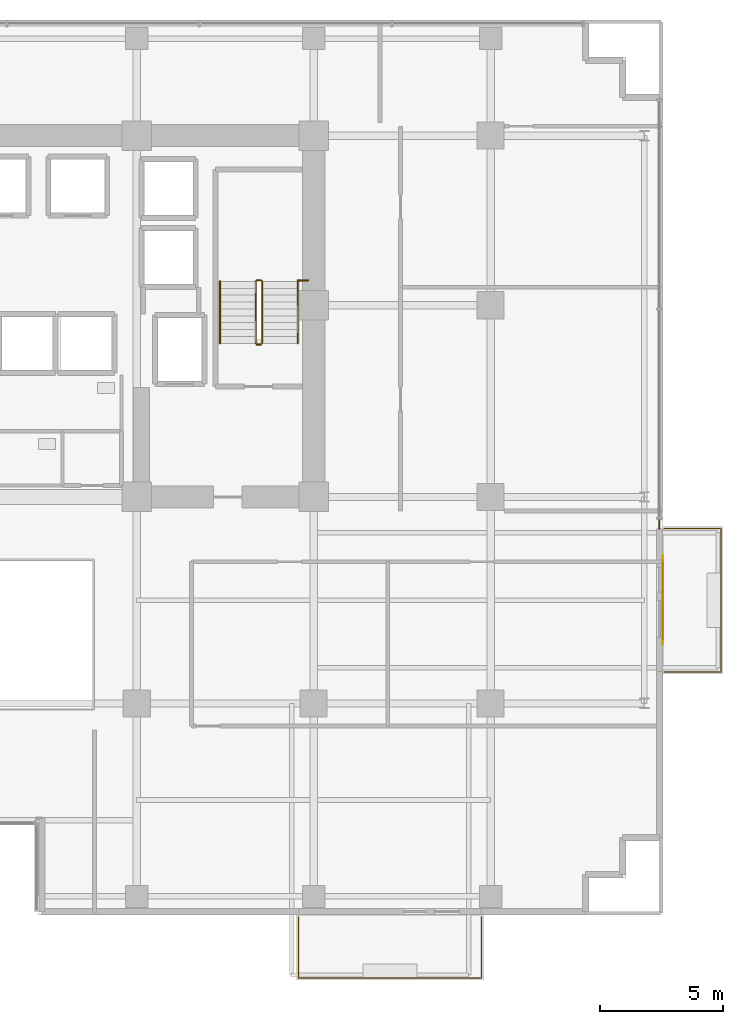
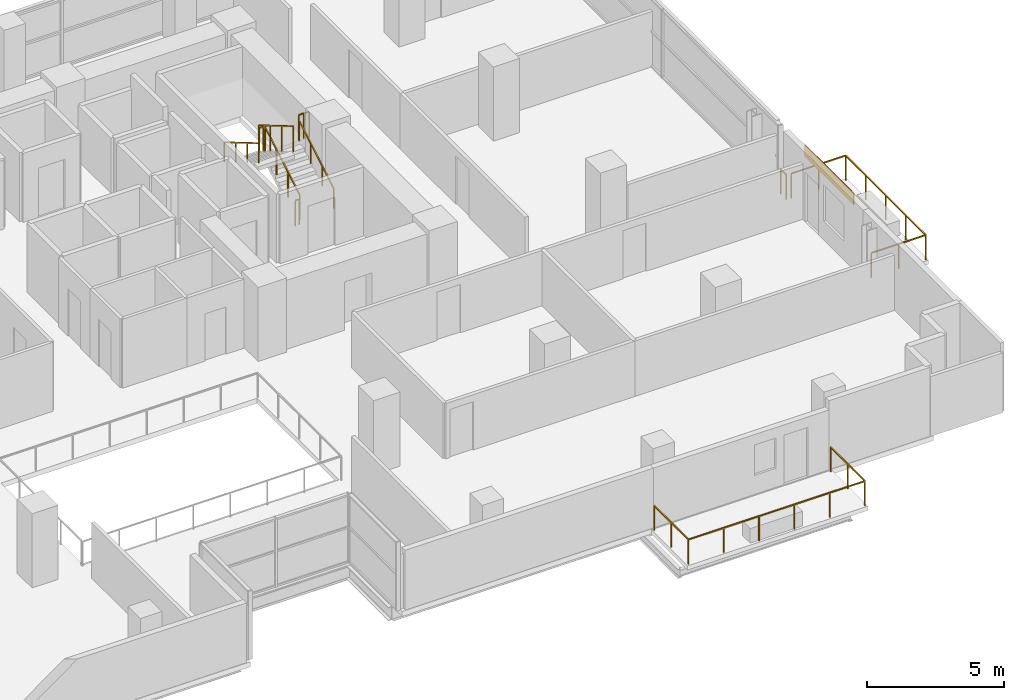
# One storey, part 28 of 29: 10 railings, 1 covering, 1 shading device.
"""IFC4 building model written with IfcOpenShell, lengths in metres."""

from ifc_helpers import new_model, si_unit, direction, frame, origin, origin_2d, place, context, subcontext, project, spatial, rectangle, extrude, source, transform, mapped, material, layer, layer_set, type_object, element, save


model = new_model("IFC4")

# Units and contexts
model_context = context("Model", 3, precision=1e-05, world=origin(), true_north=direction((0.0, 1.0)))
body_context = subcontext(model_context, "Body", "Model", "MODEL_VIEW")
ifc_project = project(units=[si_unit("LENGTHUNIT", "METRE"), si_unit("AREAUNIT", "SQUARE_METRE"), si_unit("VOLUMEUNIT", "CUBIC_METRE"), si_unit("PLANEANGLEUNIT", "RADIAN"), si_unit("MASSUNIT", "GRAM", prefix="KILO")], contexts=[model_context])

# Site, building, storey
site_placement = place(None, origin())
site = spatial("IfcSite", under=ifc_project, at=site_placement, CompositionType="ELEMENT")
building_placement = place(site_placement, origin())
building = spatial("IfcBuilding", under=site, at=building_placement, Name="Zarnakvel Exchange Tower", CompositionType="ELEMENT")
storey_placement = place(building_placement, frame((0.0, 0.0, 37.300048828125)))
storey = spatial("IfcBuildingStorey", under=building, at=storey_placement, Name="L09", CompositionType="ELEMENT", Elevation=37.300048828125)

# Railings
ifc_material_1 = material(Name="Architectural Bronze Anodised Aluminium", Category="aluminium")
railing_type_1 = type_object("IfcRailingType", Name="GR-02", PredefinedType="GUARDRAIL", material=ifc_material_1)
railing_1_placement = place(storey_placement, frame((13.780029296875, -18.280029296875, -0.03515625)))
element("IfcRailing", 1, at=railing_1_placement, inside=storey, type_object=railing_type_1, Name="L09 Balcony Guardrail BAL-L09-SE", PredefinedType="GUARDRAIL", context=body_context, shape_type="SweptSolid", body=[
    extrude(rectangle(XDim=0.048095703125, YDim=0.048095703125, at=origin_2d()), frame((0.0, 0.0, 1.09619140625), z_axis=(0.0, -1.0, 0.0), x_axis=(1.0, 0.0, 0.0)), (0.0, 0.0, 1.0), 2.489990234375),
    extrude(rectangle(XDim=0.048095703125, YDim=0.048095703125, at=origin_2d()), frame((0.0, -2.489990234375, 1.09619140625), z_axis=(1.0, 0.0, 0.0), x_axis=(0.0, 1.0, 0.0)), (0.0, 0.0, 1.0), 7.43994140625),
    extrude(rectangle(XDim=0.048095703125, YDim=0.048095703125, at=origin_2d()), frame((7.43994140625, -2.489990234375, 1.09619140625), z_axis=(0.0, 1.0, 0.0), x_axis=(-1.0, 0.0, 0.0)), (0.0, 0.0, 1.0), 2.489990234375),
    extrude(rectangle(XDim=0.0419921875, YDim=0.0419921875, at=origin_2d()), origin(), (0.0, 0.0, 1.0), 1.072021484375),
    extrude(rectangle(XDim=0.0419921875, YDim=0.0419921875, at=origin_2d()), frame((0.0, -1.2451171875, 0.0)), (0.0, 0.0, 1.0), 1.072021484375),
    extrude(rectangle(XDim=0.0419921875, YDim=0.0419921875, at=origin_2d()), frame((0.0, -2.489990234375, 0.0)), (0.0, 0.0, 1.0), 1.072021484375),
    extrude(rectangle(XDim=0.0419921875, YDim=0.0419921875, at=origin_2d()), frame((1.488037109375, -2.489990234375, 0.0)), (0.0, 0.0, 1.0), 1.072021484375),
    extrude(rectangle(XDim=0.0419921875, YDim=0.0419921875, at=origin_2d()), frame((2.97607421875, -2.489990234375, 0.0)), (0.0, 0.0, 1.0), 1.072021484375),
    extrude(rectangle(XDim=0.0419921875, YDim=0.0419921875, at=origin_2d()), frame((4.4638671875, -2.489990234375, 0.0)), (0.0, 0.0, 1.0), 1.072021484375),
    extrude(rectangle(XDim=0.0419921875, YDim=0.0419921875, at=origin_2d()), frame((5.951904296875, -2.489990234375, 0.0)), (0.0, 0.0, 1.0), 1.072021484375),
    extrude(rectangle(XDim=0.0419921875, YDim=0.0419921875, at=origin_2d()), frame((7.43994140625, -2.489990234375, 0.0)), (0.0, 0.0, 1.0), 1.072021484375),
    extrude(rectangle(XDim=0.0419921875, YDim=0.0419921875, at=origin_2d()), frame((7.43994140625, -1.2451171875, 0.0)), (0.0, 0.0, 1.0), 1.072021484375),
    extrude(rectangle(XDim=0.0419921875, YDim=0.0419921875, at=origin_2d()), frame((7.43994140625, 0.0, 0.0)), (0.0, 0.0, 1.0), 1.072021484375),
])
railing_2_placement = place(storey_placement, frame((28.679931640625, -8.320068359375, -0.03515625)))
element("IfcRailing", 2, at=railing_2_placement, inside=storey, type_object=railing_type_1, Name="L09 Balcony Guardrail BAL-L09-E", PredefinedType="GUARDRAIL", context=body_context, shape_type="SweptSolid", body=[
    extrude(rectangle(XDim=0.048095703125, YDim=0.048095703125, at=origin_2d()), frame((0.0, 0.0, 1.09619140625), z_axis=(1.0, 0.0, 0.0), x_axis=(0.0, 1.0, 0.0)), (0.0, 0.0, 1.0), 2.2900390625),
    extrude(rectangle(XDim=0.048095703125, YDim=0.048095703125, at=origin_2d()), frame((2.2900390625, 0.0, 1.09619140625), z_axis=(0.0, 1.0, 0.0), x_axis=(-1.0, 0.0, 0.0)), (0.0, 0.0, 1.0), 5.840087890625),
    extrude(rectangle(XDim=0.048095703125, YDim=0.048095703125, at=origin_2d()), frame((2.2900390625, 5.840087890625, 1.09619140625), z_axis=(-1.0, 0.0, 0.0), x_axis=(0.0, -1.0, 0.0)), (0.0, 0.0, 1.0), 2.2900390625),
    extrude(rectangle(XDim=0.0419921875, YDim=0.0419921875, at=origin_2d()), origin(), (0.0, 0.0, 1.0), 1.072021484375),
    extrude(rectangle(XDim=0.0419921875, YDim=0.0419921875, at=origin_2d()), frame((1.14501953125, 0.0, 0.0)), (0.0, 0.0, 1.0), 1.072021484375),
    extrude(rectangle(XDim=0.0419921875, YDim=0.0419921875, at=origin_2d()), frame((2.2900390625, 0.0, 0.0)), (0.0, 0.0, 1.0), 1.072021484375),
    extrude(rectangle(XDim=0.0419921875, YDim=0.0419921875, at=origin_2d()), frame((2.2900390625, 1.4599609375, 0.0)), (0.0, 0.0, 1.0), 1.072021484375),
    extrude(rectangle(XDim=0.0419921875, YDim=0.0419921875, at=origin_2d()), frame((2.2900390625, 2.919921875, 0.0)), (0.0, 0.0, 1.0), 1.072021484375),
    extrude(rectangle(XDim=0.0419921875, YDim=0.0419921875, at=origin_2d()), frame((2.2900390625, 4.380126953125, 0.0)), (0.0, 0.0, 1.0), 1.072021484375),
    extrude(rectangle(XDim=0.0419921875, YDim=0.0419921875, at=origin_2d()), frame((2.2900390625, 5.840087890625, 0.0)), (0.0, 0.0, 1.0), 1.072021484375),
    extrude(rectangle(XDim=0.0419921875, YDim=0.0419921875, at=origin_2d()), frame((1.14501953125, 5.840087890625, 0.0)), (0.0, 0.0, 1.0), 1.072021484375),
    extrude(rectangle(XDim=0.0419921875, YDim=0.0419921875, at=origin_2d()), frame((0.0, 5.840087890625, 0.0)), (0.0, 0.0, 1.0), 1.072021484375),
])
railing_3_placement = place(storey_placement, frame((28.4599609375, -2.10009765625, 0.0)))
element("IfcRailing", 3, at=railing_3_placement, inside=storey, type_object=railing_type_1, Name="L09 Corner Spandrel Balustrade #9", PredefinedType="GUARDRAIL", context=body_context, shape_type="SweptSolid", body=[
    extrude(rectangle(XDim=0.048095703125, YDim=0.048095703125, at=origin_2d()), frame((0.0, 0.0, 1.09619140625), z_axis=(0.0, -1.0, 0.0), x_axis=(1.0, 0.0, 0.0)), (0.0, 0.0, 1.0), 0.39990234375),
    extrude(rectangle(XDim=0.0419921875, YDim=0.0419921875, at=origin_2d()), origin(), (0.0, 0.0, 1.0), 1.072021484375),
    extrude(rectangle(XDim=0.0419921875, YDim=0.0419921875, at=origin_2d()), frame((0.0, -0.39990234375, 0.0)), (0.0, 0.0, 1.0), 1.072021484375),
])
ifc_material_2 = material(Name="Brushed Stainless Steel", Category="steel")
railing_type_2 = type_object("IfcRailingType", Name="HR-01", PredefinedType="HANDRAIL", material=ifc_material_2)
railing_4_placement = place(storey_placement, frame((13.75, 5.050048828125, 0.1650390625)))
element("IfcRailing", 4, at=railing_4_placement, inside=storey, type_object=railing_type_2, Name="L09 ST-02 stair handrail 1", PredefinedType="HANDRAIL", context=body_context, shape_type="SweptSolid", body=[
    extrude(rectangle(XDim=0.048095703125, YDim=0.048095703125, at=origin_2d()), frame((0.0, 0.0, 0.8759765625), z_axis=(0.0, 0.861560626758, 0.507654692109), x_axis=(-1.0, 0.0, 0.0)), (0.0, 0.0, 1.0), 2.925048828125),
    extrude(rectangle(XDim=0.0419921875, YDim=0.0419921875, at=origin_2d()), origin(), (0.0, 0.0, 1.0), 0.851806640625),
    extrude(rectangle(XDim=0.0419921875, YDim=0.0419921875, at=origin_2d()), frame((0.0, 0.840087890625, 0.494873046875)), (0.0, 0.0, 1.0), 0.851806640625),
    extrude(rectangle(XDim=0.0419921875, YDim=0.0419921875, at=origin_2d()), frame((0.0, 1.679931640625, 0.989990234375)), (0.0, 0.0, 1.0), 0.851806640625),
    extrude(rectangle(XDim=0.0419921875, YDim=0.0419921875, at=origin_2d()), frame((0.0, 2.52001953125, 1.48486328125)), (0.0, 0.0, 1.0), 0.851806640625),
])
railing_5_placement = place(storey_placement, frame((10.590087890625, 7.570068359375, 1.81494140625)))
element("IfcRailing", 5, at=railing_5_placement, inside=storey, type_object=railing_type_2, Name="L09 ST-02 stair handrail 2", PredefinedType="HANDRAIL", context=body_context, shape_type="SweptSolid", body=[
    extrude(rectangle(XDim=0.048095703125, YDim=0.048095703125, at=origin_2d()), frame((0.0, 0.0, 0.8759765625), z_axis=(0.0, -0.86152411907, 0.507716645641), x_axis=(1.0, 0.0, 0.0)), (0.0, 0.0, 1.0), 2.925048828125),
    extrude(rectangle(XDim=0.0419921875, YDim=0.0419921875, at=origin_2d()), origin(), (0.0, 0.0, 1.0), 0.851806640625),
    extrude(rectangle(XDim=0.0419921875, YDim=0.0419921875, at=origin_2d()), frame((0.0, -0.840087890625, 0.4951171875)), (0.0, 0.0, 1.0), 0.851806640625),
    extrude(rectangle(XDim=0.0419921875, YDim=0.0419921875, at=origin_2d()), frame((0.0, -1.679931640625, 0.989990234375)), (0.0, 0.0, 1.0), 0.851806640625),
    extrude(rectangle(XDim=0.0419921875, YDim=0.0419921875, at=origin_2d()), frame((0.0, -2.52001953125, 1.485107421875)), (0.0, 0.0, 1.0), 0.851806640625),
])
railing_type_3 = type_object("IfcRailingType", Name="SG-01", PredefinedType="GUARDRAIL", material=ifc_material_1)
railing_6_placement = place(storey_placement, frame((12.300048828125, 5.050048828125, 0.1650390625)))
element("IfcRailing", 6, at=railing_6_placement, inside=storey, type_object=railing_type_3, Name="L09 ST-02 stair guard 1", PredefinedType="GUARDRAIL", context=body_context, shape_type="SweptSolid", body=[
    extrude(rectangle(XDim=0.048095703125, YDim=0.048095703125, at=origin_2d()), frame((0.0, 0.0, 1.1259765625), z_axis=(0.0, 0.861560626758, 0.507654692109), x_axis=(-1.0, 0.0, 0.0)), (0.0, 0.0, 1.0), 2.925048828125),
    extrude(rectangle(XDim=0.0419921875, YDim=0.0419921875, at=origin_2d()), origin(), (0.0, 0.0, 1.0), 1.101806640625),
    extrude(rectangle(XDim=0.0419921875, YDim=0.0419921875, at=origin_2d()), frame((0.0, 0.840087890625, 0.494873046875)), (0.0, 0.0, 1.0), 1.101806640625),
    extrude(rectangle(XDim=0.0419921875, YDim=0.0419921875, at=origin_2d()), frame((0.0, 1.679931640625, 0.989990234375)), (0.0, 0.0, 1.0), 1.101806640625),
    extrude(rectangle(XDim=0.0419921875, YDim=0.0419921875, at=origin_2d()), frame((0.0, 2.52001953125, 1.48486328125)), (0.0, 0.0, 1.0), 1.101806640625),
])
railing_7_placement = place(storey_placement, frame((12.25, 7.6201171875, 1.64990234375)))
element("IfcRailing", 7, at=railing_7_placement, inside=storey, type_object=railing_type_3, Name="L09 ST-02 stair guard 2", PredefinedType="GUARDRAIL", context=body_context, shape_type="SweptSolid", body=[
    extrude(rectangle(XDim=0.048095703125, YDim=0.048095703125, at=origin_2d()), frame((0.0, 0.0, 1.1259765625), z_axis=(-1.0, 0.0, 0.0), x_axis=(0.0, -1.0, 0.0)), (0.0, 0.0, 1.0), 0.159912109375),
    extrude(rectangle(XDim=0.0419921875, YDim=0.0419921875, at=origin_2d()), origin(), (0.0, 0.0, 1.0), 1.101806640625),
    extrude(rectangle(XDim=0.0419921875, YDim=0.0419921875, at=origin_2d()), frame((-0.159912109375, 0.0, 0.0)), (0.0, 0.0, 1.0), 1.101806640625),
])
railing_8_placement = place(storey_placement, frame((12.0400390625, 7.570068359375, 1.81494140625)))
element("IfcRailing", 8, at=railing_8_placement, inside=storey, type_object=railing_type_3, Name="L09 ST-02 stair guard 3", PredefinedType="GUARDRAIL", context=body_context, shape_type="SweptSolid", body=[
    extrude(rectangle(XDim=0.048095703125, YDim=0.048095703125, at=origin_2d()), frame((0.0, 0.0, 1.1259765625), z_axis=(0.0, -0.86152411907, 0.507716645641), x_axis=(1.0, 0.0, 0.0)), (0.0, 0.0, 1.0), 2.925048828125),
    extrude(rectangle(XDim=0.0419921875, YDim=0.0419921875, at=origin_2d()), origin(), (0.0, 0.0, 1.0), 1.101806640625),
    extrude(rectangle(XDim=0.0419921875, YDim=0.0419921875, at=origin_2d()), frame((0.0, -0.840087890625, 0.4951171875)), (0.0, 0.0, 1.0), 1.101806640625),
    extrude(rectangle(XDim=0.0419921875, YDim=0.0419921875, at=origin_2d()), frame((0.0, -1.679931640625, 0.989990234375)), (0.0, 0.0, 1.0), 1.101806640625),
    extrude(rectangle(XDim=0.0419921875, YDim=0.0419921875, at=origin_2d()), frame((0.0, -2.52001953125, 1.485107421875)), (0.0, 0.0, 1.0), 1.101806640625),
])
railing_9_placement = place(storey_placement, frame((12.25, 5.0, 0.0)))
element("IfcRailing", 9, at=railing_9_placement, inside=storey, type_object=railing_type_3, Name="L09 ST-02 stair guard 4", PredefinedType="GUARDRAIL", context=body_context, shape_type="SweptSolid", body=[
    extrude(rectangle(XDim=0.048095703125, YDim=0.048095703125, at=origin_2d()), frame((0.0, 0.0, 1.1259765625), z_axis=(-1.0, 0.0, 0.0), x_axis=(0.0, -1.0, 0.0)), (0.0, 0.0, 1.0), 0.159912109375),
    extrude(rectangle(XDim=0.0419921875, YDim=0.0419921875, at=origin_2d()), origin(), (0.0, 0.0, 1.0), 1.101806640625),
    extrude(rectangle(XDim=0.0419921875, YDim=0.0419921875, at=origin_2d()), frame((-0.159912109375, 0.0, 0.0)), (0.0, 0.0, 1.0), 1.101806640625),
])
railing_10_placement = place(storey_placement, frame((13.75, 7.610107421875, 1.64990234375)))
element("IfcRailing", 10, at=railing_10_placement, inside=storey, type_object=railing_type_3, Name="L09 ST-02 Landing Slot Guardrail", PredefinedType="GUARDRAIL", context=body_context, shape_type="SweptSolid", body=[
    extrude(rectangle(XDim=0.048095703125, YDim=0.048095703125, at=origin_2d()), frame((0.0, 0.0, 1.1259765625), z_axis=(1.0, 0.0, 0.0), x_axis=(0.0, 1.0, 0.0)), (0.0, 0.0, 1.0), 0.429931640625),
    extrude(rectangle(XDim=0.0419921875, YDim=0.0419921875, at=origin_2d()), origin(), (0.0, 0.0, 1.0), 1.101806640625),
    extrude(rectangle(XDim=0.0419921875, YDim=0.0419921875, at=origin_2d()), frame((0.21484375, 0.0, 0.0)), (0.0, 0.0, 1.0), 1.101806640625),
    extrude(rectangle(XDim=0.0419921875, YDim=0.0419921875, at=origin_2d()), frame((0.429931640625, 0.0, 0.0)), (0.0, 0.0, 1.0), 1.101806640625),
])

# Covering
ifc_material_3 = material(Name="Warm Sandstone Terracotta Spandrel Tile", Category="masonry")
ifc_layer_1 = layer(ifc_material_3, 0.031982421875)
ifc_layer_set_1 = layer_set([ifc_layer_1], Name="Warm Sandstone Terracotta Spandrel Tile")
covering_type = type_object("IfcCoveringType", Name="CL-02", PredefinedType="CLADDING", material=ifc_layer_set_1)
shared_shape_1 = source(origin(), body_context, "Body", "SweptSolid", [
    extrude(rectangle(XDim=3.60009765625, YDim=0.031982421875, at=origin_2d()), origin(), (0.0, 0.0, 1.0), 0.4951171875),
])
covering_placement = place(storey_placement, frame((28.593994140625, -5.39990234375, 2.559814453125), z_axis=(0.0, 0.0, 1.0), x_axis=(0.0, -1.0, 0.0)))
element("IfcCovering", 11, at=covering_placement, inside=storey, type_object=covering_type, Name="L09 Ceramic Spandrel Tilework CL-02", PredefinedType="CLADDING", context=body_context, shape_type="MappedRepresentation", body=[
    mapped(shared_shape_1, transform((0.0, 0.0, 0.0), x_axis=(1.0, 0.0, 0.0), y_axis=(0.0, 1.0, 0.0), z_axis=(0.0, 0.0, 1.0), scale=1.0)),
])

# Shading device
ifc_material_4 = material(Name="Perforated Architectural Bronze Screen", Category="aluminium")
ifc_layer_2 = layer(ifc_material_4, 0.044921875)
ifc_layer_set_2 = layer_set([ifc_layer_2], Name="Perforated Architectural Bronze Screen")
shading_device_type = type_object("IfcShadingDeviceType", Name="SS-01", PredefinedType="JALOUSIE", material=ifc_layer_set_2)
shared_shape_2 = source(origin(), body_context, "Body", "SweptSolid", [
    extrude(rectangle(XDim=3.199951171875, YDim=0.044921875, at=origin_2d()), origin(), (0.0, 0.0, 1.0), 0.4951171875),
])
shading_device_placement = place(storey_placement, frame((28.6005859375, -5.39990234375, 2.559814453125), z_axis=(0.0, 0.0, 1.0), x_axis=(0.0, -1.0, 0.0)))
element("IfcShadingDevice", 12, at=shading_device_placement, inside=storey, type_object=shading_device_type, Name="L09 Bronze Solar Shading Screen SS-01", PredefinedType="JALOUSIE", context=body_context, shape_type="MappedRepresentation", body=[
    mapped(shared_shape_2, transform((0.0, 0.0, 0.0), x_axis=(1.0, 0.0, 0.0), y_axis=(0.0, 1.0, 0.0), z_axis=(0.0, 0.0, 1.0), scale=1.0)),
])

save(model, "model.ifc")
